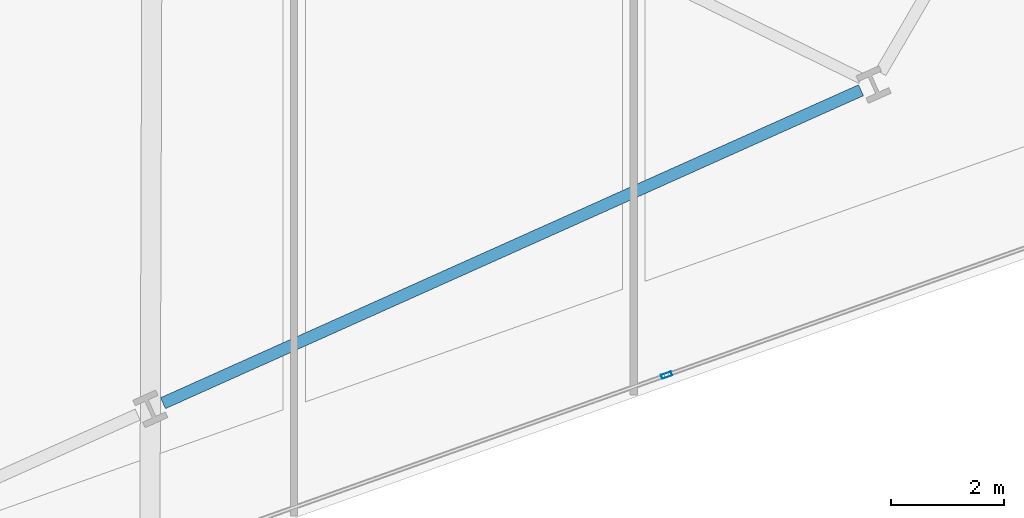
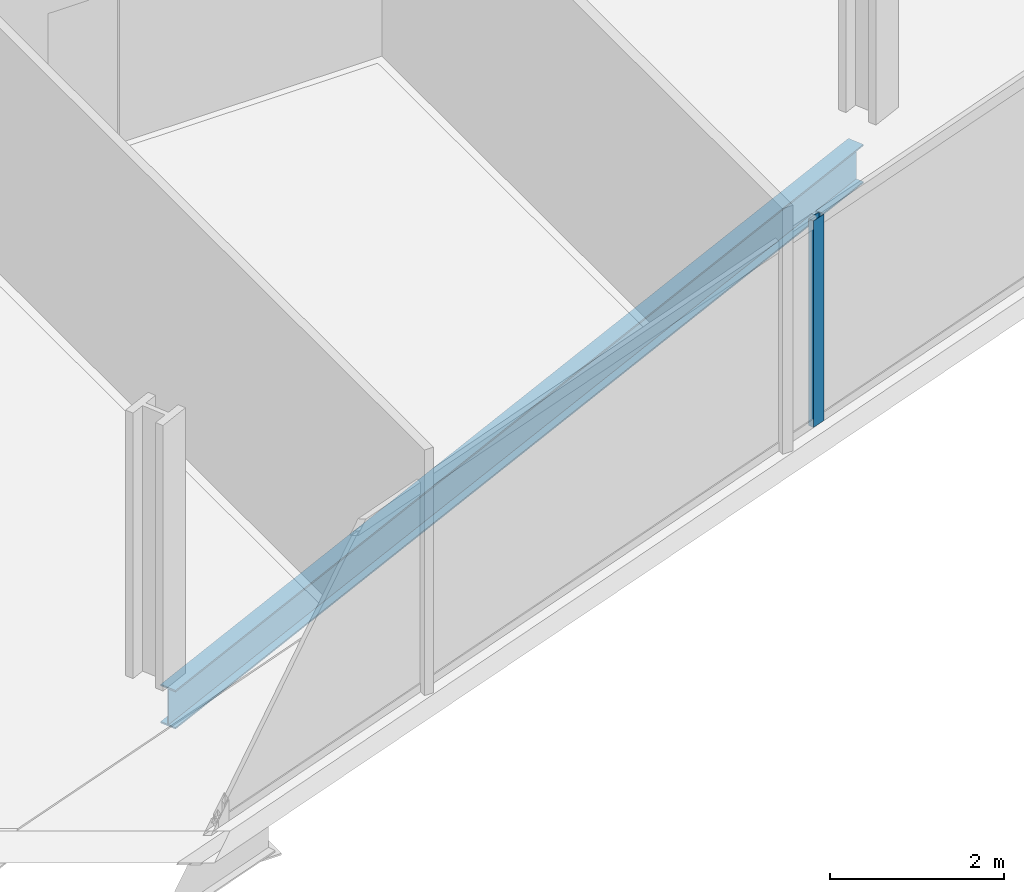
# One storey, part 9 of 33: 1 beam, 1 member, 1 element without a shape of its own.
"""IFC4 building model written with IfcOpenShell, lengths in metres."""

from ifc_helpers import new_model, si_unit, direction, frame, origin, origin_2d, place, context, subcontext, project, spatial, hollow_rectangle, i_section, extrude, material, material_profile, profile_set, type_object, element, aggregate, save


model = new_model("IFC4")

# Units and contexts
model_context = context("Model", 3, precision=1e-05, world=origin(), true_north=direction((0.0, 1.0)))
body_context = subcontext(model_context, "Body", "Model", "MODEL_VIEW")
ifc_project = project(units=[si_unit("LENGTHUNIT", "METRE"), si_unit("AREAUNIT", "SQUARE_METRE"), si_unit("VOLUMEUNIT", "CUBIC_METRE"), si_unit("PLANEANGLEUNIT", "RADIAN"), si_unit("MASSUNIT", "GRAM", prefix="KILO")], contexts=[model_context])

# Site, building, storey
site_placement = place(None, origin())
site = spatial("IfcSite", under=ifc_project, at=site_placement, CompositionType="ELEMENT")
building_placement = place(site_placement, origin())
building = spatial("IfcBuilding", under=site, at=building_placement, Name="Haldenkirk Collegiate Tower", CompositionType="ELEMENT")
storey_placement = place(building_placement, frame((0.0, 0.0, 94.199951171875)))
storey = spatial("IfcBuildingStorey", under=building, at=storey_placement, Name="L22", CompositionType="ELEMENT", Elevation=94.199951171875)

# Beam
ifc_material_1 = material(Name="Steel ASTM A992 Grade 50", Category="steel")
ifc_material_profile_1 = material_profile(ifc_material_1, i_section(OverallWidth=0.2119140625, OverallDepth=0.5439453125, WebThickness=0.01318359375, FlangeThickness=0.021240234375, at=origin_2d()), Name="W21X83")
ifc_profile_set_1 = profile_set([ifc_material_profile_1], Name="Steel ASTM A992 Grade 50")
beam_type = type_object("IfcBeamType", Name="BM-SPANDREL-W21X83", PredefinedType="SPANDREL", material=ifc_profile_set_1)
beam_placement = place(storey_placement, frame((45.183837890625, 6.1171875, -0.572021484375), z_axis=(0.912476765144, 0.409128528793, 0.0), x_axis=(-0.409128528793, 0.912476765144, 0.0)))
element("IfcBeam", 1, at=beam_placement, inside=storey, type_object=beam_type, Name="L22 perimeter spandrel beam 03", PredefinedType="SPANDREL", context=body_context, shape_type="SweptSolid", body=[
    extrude(i_section(OverallWidth=0.2119140625, OverallDepth=0.5439453125, WebThickness=0.01318359375, FlangeThickness=0.021240234375, at=origin_2d()), origin(), (0.0, 0.0, 1.0), 13.512939453125),
])

# Curtain wall, member
ifc_material_2 = material(Name="Anodised architectural bronze aluminium", Category="aluminium")
curtain_wall_type = type_object("IfcCurtainWallType", Name="CW-SYS2-CONCAVE", PredefinedType="USERDEFINED", material=ifc_material_2)
curtain_wall_placement = place(storey_placement, origin())
curtain_wall = element("IfcCurtainWall", 2, at=curtain_wall_placement, inside=storey, type_object=curtain_wall_type, Name="L22 South concave recessed bronze-anodised curtain wall", ObjectType="UNITISED CURTAIN WALL", PredefinedType="USERDEFINED")
ifc_material_profile_2 = material_profile(ifc_material_2, hollow_rectangle(XDim=0.074951171875, YDim=0.18994140625, WallThickness=0.0048828125, at=origin_2d()), Name="CW-MUL-02")
ifc_profile_set_2 = profile_set([ifc_material_profile_2], Name="Anodised architectural bronze aluminium")
member_type = type_object("IfcMemberType", Name="CW-MUL-02", PredefinedType="MULLION", material=ifc_profile_set_2)
member_placement = place(storey_placement, frame((54.080078125, 6.6123046875, 0.0), z_axis=(0.0, 0.0, 1.0), x_axis=(0.334627839055, -0.942350364424, 0.0)))
member = element("IfcMember", 3, at=member_placement, type_object=member_type, Name="CW-02 mullion 2", PredefinedType="MULLION", context=body_context, shape_type="SweptSolid", body=[
    extrude(hollow_rectangle(XDim=0.074951171875, YDim=0.18994140625, WallThickness=0.0048828125, at=origin_2d()), origin(), (0.0, 0.0, 1.0), 2.901123046875),
])
aggregate(curtain_wall, [member])

save(model, "model.ifc")
